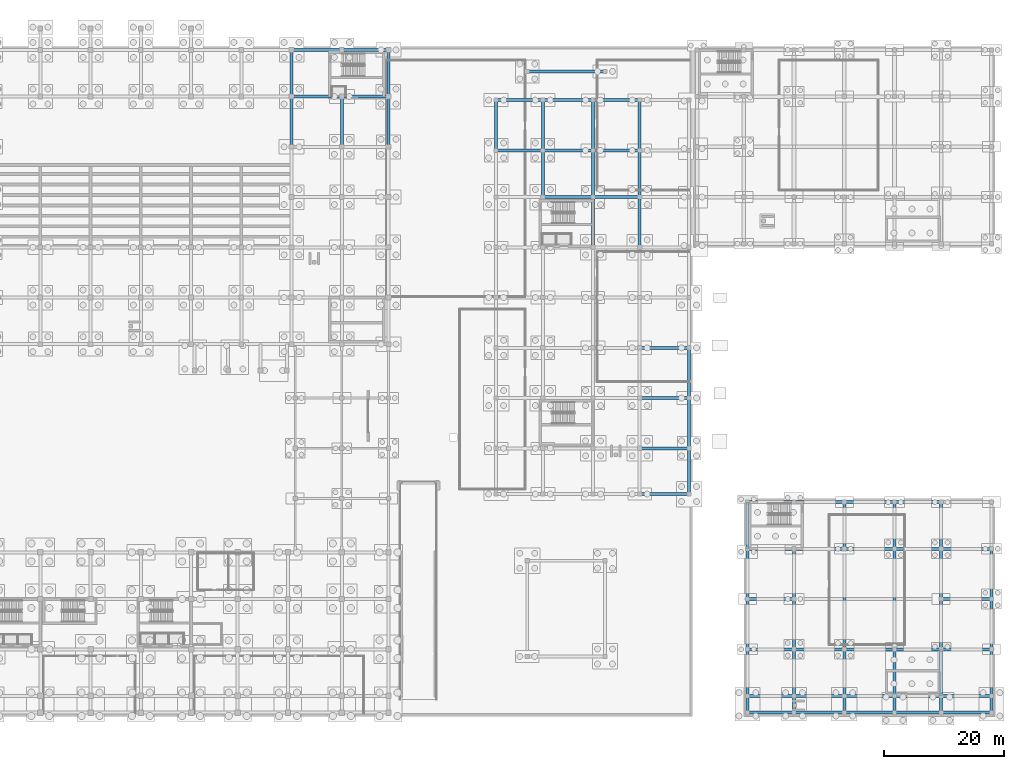
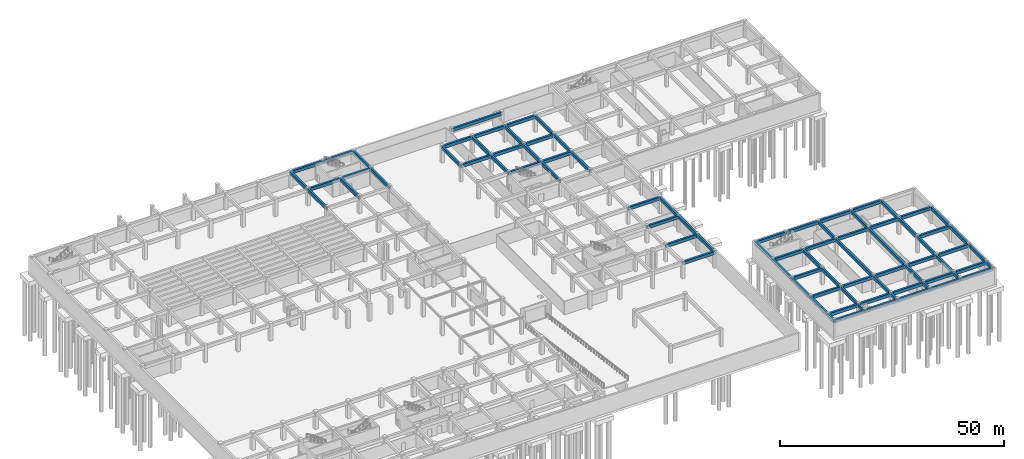
# One storey, part 13 of 35: 86 beams.
"""IFC4 building model written with IfcOpenShell, lengths in metres."""

from ifc_helpers import new_model, si_unit, direction, frame, origin, origin_2d, place, context, subcontext, project, spatial, rectangle, extrude, material, material_profile, profile_set, type_object, element, save


model = new_model("IFC4")

# Units and contexts
model_context = context("Model", 3, precision=1e-05, world=origin(), true_north=direction((0.0, 1.0)))
body_context = subcontext(model_context, "Body", "Model", "MODEL_VIEW")
ifc_project = project(units=[si_unit("LENGTHUNIT", "METRE"), si_unit("AREAUNIT", "SQUARE_METRE"), si_unit("VOLUMEUNIT", "CUBIC_METRE"), si_unit("PLANEANGLEUNIT", "RADIAN"), si_unit("MASSUNIT", "GRAM", prefix="KILO")], contexts=[model_context])

# Site, building, storey
site_placement = place(None, origin())
site = spatial("IfcSite", under=ifc_project, at=site_placement, CompositionType="ELEMENT")
building_placement = place(site_placement, origin())
building = spatial("IfcBuilding", under=site, at=building_placement, Name="Zayran Congress Hotel", CompositionType="ELEMENT")
storey_placement = place(building_placement, frame((0.0, 0.0, -4.800048828125)))
storey = spatial("IfcBuildingStorey", under=building, at=storey_placement, Name="B1", CompositionType="ELEMENT", Elevation=-4.800048828125)

# Beams
ifc_material = material(Name="Concrete C40/50", Category="concrete")
ifc_material_profile = material_profile(ifc_material, rectangle(XDim=0.5, YDim=0.85009765625, at=origin_2d()), Name="RC 500x850")
ifc_profile_set = profile_set([ifc_material_profile], Name="Concrete C40/50")
beam_type = type_object("IfcBeamType", Name="TP-BM-01", PredefinedType="BEAM", material=ifc_profile_set)
beam_1_placement = place(storey_placement, frame((75.60009765625, 109.60009765625, 4.054931640625), z_axis=(1.0, 0.0, 0.0), x_axis=(0.0, 1.0, 0.0)))
element("IfcBeam", 1, at=beam_1_placement, inside=storey, type_object=beam_type, Name="BM-B1-0047", PredefinedType="BEAM", context=body_context, shape_type="SweptSolid", body=[
    extrude(rectangle(XDim=0.5, YDim=0.85009765625, at=origin_2d()), origin(), (0.0, 0.0, 1.0), 8.39990234375),
])
beam_2_placement = place(storey_placement, frame((84.0, 109.60009765625, 4.054931640625), z_axis=(1.0, 0.0, 0.0), x_axis=(0.0, 1.0, 0.0)))
element("IfcBeam", 2, at=beam_2_placement, inside=storey, type_object=beam_type, Name="BM-B1-0048", PredefinedType="BEAM", context=body_context, shape_type="SweptSolid", body=[
    extrude(rectangle(XDim=0.5, YDim=0.85009765625, at=origin_2d()), origin(), (0.0, 0.0, 1.0), 7.800048828125),
])
beam_3_placement = place(storey_placement, frame((75.60009765625, 117.39990234375, 4.054931640625), z_axis=(1.0, 0.0, 0.0), x_axis=(0.0, 1.0, 0.0)))
element("IfcBeam", 3, at=beam_3_placement, inside=storey, type_object=beam_type, Name="BM-B1-0057", PredefinedType="BEAM", context=body_context, shape_type="SweptSolid", body=[
    extrude(rectangle(XDim=0.5, YDim=0.85009765625, at=origin_2d()), origin(), (0.0, 0.0, 1.0), 8.39990234375),
])
beam_4_placement = place(storey_placement, frame((84.0, 117.39990234375, 4.054931640625), z_axis=(1.0, 0.0, 0.0), x_axis=(0.0, 1.0, 0.0)))
element("IfcBeam", 4, at=beam_4_placement, inside=storey, type_object=beam_type, Name="BM-B1-0058", PredefinedType="BEAM", context=body_context, shape_type="SweptSolid", body=[
    extrude(rectangle(XDim=0.5, YDim=0.85009765625, at=origin_2d()), origin(), (0.0, 0.0, 1.0), 7.800048828125),
])
beam_5_placement = place(storey_placement, frame((75.60009765625, 101.199951171875, 4.054931640625), z_axis=(0.0, 1.0, 0.0), x_axis=(-1.0, 0.0, 0.0)))
element("IfcBeam", 5, at=beam_5_placement, inside=storey, type_object=beam_type, Name="BM-B1-0095", PredefinedType="BEAM", context=body_context, shape_type="SweptSolid", body=[
    extrude(rectangle(XDim=0.5, YDim=0.85009765625, at=origin_2d()), origin(), (0.0, 0.0, 1.0), 8.400146484375),
])
beam_6_placement = place(storey_placement, frame((75.60009765625, 109.60009765625, 4.054931640625), z_axis=(0.0, 1.0, 0.0), x_axis=(-1.0, 0.0, 0.0)))
element("IfcBeam", 6, at=beam_6_placement, inside=storey, type_object=beam_type, Name="BM-B1-0096", PredefinedType="BEAM", context=body_context, shape_type="SweptSolid", body=[
    extrude(rectangle(XDim=0.5, YDim=0.85009765625, at=origin_2d()), origin(), (0.0, 0.0, 1.0), 7.7998046875),
])
for number, where, z_axis, x_axis, name in (
    (7, (84.0, 101.199951171875, 4.054931640625), (0.0, 1.0, 0.0), (-1.0, 0.0, 0.0), "BM-B1-0101"),
    (8, (91.800048828125, 101.199951171875, 4.054931640625), (0.0, 1.0, 0.0), (-1.0, 0.0, 0.0), "BM-B1-0106"),
):
    element("IfcBeam", number, at=place(storey_placement, frame(where, z_axis=z_axis, x_axis=x_axis)), inside=storey, type_object=beam_type, Name=name, PredefinedType="BEAM", context=body_context, shape_type="SweptSolid", body=[
        extrude(rectangle(XDim=0.5, YDim=0.85009765625, at=origin_2d()), origin(), (0.0, 0.0, 1.0), 8.400146484375),
    ])
beam_7_placement = place(storey_placement, frame((91.800048828125, 109.60009765625, 4.054931640625), z_axis=(0.0, 1.0, 0.0), x_axis=(-1.0, 0.0, 0.0)))
element("IfcBeam", 9, at=beam_7_placement, inside=storey, type_object=beam_type, Name="BM-B1-0107", PredefinedType="BEAM", context=body_context, shape_type="SweptSolid", body=[
    extrude(rectangle(XDim=0.5, YDim=0.85009765625, at=origin_2d()), origin(), (0.0, 0.0, 1.0), 7.7998046875),
])
beam_8_placement = place(storey_placement, frame((151.800048828125, 6.60009765625, 4.054931640625), z_axis=(1.0, 0.0, 0.0), x_axis=(0.0, 1.0, 0.0)))
element("IfcBeam", 10, at=beam_8_placement, inside=storey, type_object=beam_type, Name="BM-B1-0159", PredefinedType="BEAM", context=body_context, shape_type="SweptSolid", body=[
    extrude(rectangle(XDim=0.5, YDim=0.85009765625, at=origin_2d()), origin(), (0.0, 0.0, 1.0), 7.800048828125),
])
for number, where, z_axis, x_axis, name in (
    (11, (159.60009765625, 6.60009765625, 4.054931640625), (1.0, 0.0, 0.0), (0.0, 1.0, 0.0), "BM-B1-0160"),
    (12, (168.0, 6.60009765625, 4.054931640625), (1.0, 0.0, 0.0), (0.0, 1.0, 0.0), "BM-B1-0161"),
):
    element("IfcBeam", number, at=place(storey_placement, frame(where, z_axis=z_axis, x_axis=x_axis)), inside=storey, type_object=beam_type, Name=name, PredefinedType="BEAM", context=body_context, shape_type="SweptSolid", body=[
        extrude(rectangle(XDim=0.5, YDim=0.85009765625, at=origin_2d()), origin(), (0.0, 0.0, 1.0), 8.39990234375),
    ])
beam_9_placement = place(storey_placement, frame((176.39990234375, 6.60009765625, 4.054931640625), z_axis=(1.0, 0.0, 0.0), x_axis=(0.0, 1.0, 0.0)))
element("IfcBeam", 13, at=beam_9_placement, inside=storey, type_object=beam_type, Name="BM-B1-0162", PredefinedType="BEAM", context=body_context, shape_type="SweptSolid", body=[
    extrude(rectangle(XDim=0.5, YDim=0.85009765625, at=origin_2d()), origin(), (0.0, 0.0, 1.0), 7.800048828125),
])
beam_10_placement = place(storey_placement, frame((184.199951171875, 6.60009765625, 4.054931640625), z_axis=(1.0, 0.0, 0.0), x_axis=(0.0, 1.0, 0.0)))
element("IfcBeam", 14, at=beam_10_placement, inside=storey, type_object=beam_type, Name="BM-B1-0163", PredefinedType="BEAM", context=body_context, shape_type="SweptSolid", body=[
    extrude(rectangle(XDim=0.5, YDim=0.85009765625, at=origin_2d()), origin(), (0.0, 0.0, 1.0), 8.400146484375),
])
beam_11_placement = place(storey_placement, frame((151.800048828125, 9.39990234375, 4.054931640625), z_axis=(1.0, 0.0, 0.0), x_axis=(0.0, 1.0, 0.0)))
element("IfcBeam", 15, at=beam_11_placement, inside=storey, type_object=beam_type, Name="BM-B1-0164", PredefinedType="BEAM", context=body_context, shape_type="SweptSolid", body=[
    extrude(rectangle(XDim=0.5, YDim=0.85009765625, at=origin_2d()), origin(), (0.0, 0.0, 1.0), 7.800048828125),
])
for number, where, z_axis, x_axis, name in (
    (16, (159.60009765625, 9.39990234375, 4.054931640625), (1.0, 0.0, 0.0), (0.0, 1.0, 0.0), "BM-B1-0165"),
    (17, (168.0, 9.39990234375, 4.054931640625), (1.0, 0.0, 0.0), (0.0, 1.0, 0.0), "BM-B1-0166"),
):
    element("IfcBeam", number, at=place(storey_placement, frame(where, z_axis=z_axis, x_axis=x_axis)), inside=storey, type_object=beam_type, Name=name, PredefinedType="BEAM", context=body_context, shape_type="SweptSolid", body=[
        extrude(rectangle(XDim=0.5, YDim=0.85009765625, at=origin_2d()), origin(), (0.0, 0.0, 1.0), 8.39990234375),
    ])
beam_12_placement = place(storey_placement, frame((176.39990234375, 9.39990234375, 4.054931640625), z_axis=(1.0, 0.0, 0.0), x_axis=(0.0, 1.0, 0.0)))
element("IfcBeam", 18, at=beam_12_placement, inside=storey, type_object=beam_type, Name="BM-B1-0167", PredefinedType="BEAM", context=body_context, shape_type="SweptSolid", body=[
    extrude(rectangle(XDim=0.5, YDim=0.85009765625, at=origin_2d()), origin(), (0.0, 0.0, 1.0), 7.800048828125),
])
beam_13_placement = place(storey_placement, frame((184.199951171875, 9.39990234375, 4.054931640625), z_axis=(1.0, 0.0, 0.0), x_axis=(0.0, 1.0, 0.0)))
element("IfcBeam", 19, at=beam_13_placement, inside=storey, type_object=beam_type, Name="BM-B1-0168", PredefinedType="BEAM", context=body_context, shape_type="SweptSolid", body=[
    extrude(rectangle(XDim=0.5, YDim=0.85009765625, at=origin_2d()), origin(), (0.0, 0.0, 1.0), 8.400146484375),
])
beam_14_placement = place(storey_placement, frame((151.800048828125, 17.199951171875, 4.054931640625), z_axis=(1.0, 0.0, 0.0), x_axis=(0.0, 1.0, 0.0)))
element("IfcBeam", 20, at=beam_14_placement, inside=storey, type_object=beam_type, Name="BM-B1-0169", PredefinedType="BEAM", context=body_context, shape_type="SweptSolid", body=[
    extrude(rectangle(XDim=0.5, YDim=0.85009765625, at=origin_2d()), origin(), (0.0, 0.0, 1.0), 7.800048828125),
])
for number, where, z_axis, x_axis, name in (
    (21, (159.60009765625, 17.199951171875, 4.054931640625), (1.0, 0.0, 0.0), (0.0, 1.0, 0.0), "BM-B1-0170"),
    (22, (168.0, 17.199951171875, 4.054931640625), (1.0, 0.0, 0.0), (0.0, 1.0, 0.0), "BM-B1-0171"),
):
    element("IfcBeam", number, at=place(storey_placement, frame(where, z_axis=z_axis, x_axis=x_axis)), inside=storey, type_object=beam_type, Name=name, PredefinedType="BEAM", context=body_context, shape_type="SweptSolid", body=[
        extrude(rectangle(XDim=0.5, YDim=0.85009765625, at=origin_2d()), origin(), (0.0, 0.0, 1.0), 8.39990234375),
    ])
beam_15_placement = place(storey_placement, frame((176.39990234375, 17.199951171875, 4.054931640625), z_axis=(1.0, 0.0, 0.0), x_axis=(0.0, 1.0, 0.0)))
element("IfcBeam", 23, at=beam_15_placement, inside=storey, type_object=beam_type, Name="BM-B1-0172", PredefinedType="BEAM", context=body_context, shape_type="SweptSolid", body=[
    extrude(rectangle(XDim=0.5, YDim=0.85009765625, at=origin_2d()), origin(), (0.0, 0.0, 1.0), 7.800048828125),
])
beam_16_placement = place(storey_placement, frame((184.199951171875, 17.199951171875, 4.054931640625), z_axis=(1.0, 0.0, 0.0), x_axis=(0.0, 1.0, 0.0)))
element("IfcBeam", 24, at=beam_16_placement, inside=storey, type_object=beam_type, Name="BM-B1-0173", PredefinedType="BEAM", context=body_context, shape_type="SweptSolid", body=[
    extrude(rectangle(XDim=0.5, YDim=0.85009765625, at=origin_2d()), origin(), (0.0, 0.0, 1.0), 8.400146484375),
])
beam_17_placement = place(storey_placement, frame((151.800048828125, 25.60009765625, 4.054931640625), z_axis=(1.0, 0.0, 0.0), x_axis=(0.0, 1.0, 0.0)))
element("IfcBeam", 25, at=beam_17_placement, inside=storey, type_object=beam_type, Name="BM-B1-0174", PredefinedType="BEAM", context=body_context, shape_type="SweptSolid", body=[
    extrude(rectangle(XDim=0.5, YDim=0.85009765625, at=origin_2d()), origin(), (0.0, 0.0, 1.0), 7.800048828125),
])
beam_18_placement = place(storey_placement, frame((184.199951171875, 25.60009765625, 4.054931640625), z_axis=(1.0, 0.0, 0.0), x_axis=(0.0, 1.0, 0.0)))
element("IfcBeam", 26, at=beam_18_placement, inside=storey, type_object=beam_type, Name="BM-B1-0175", PredefinedType="BEAM", context=body_context, shape_type="SweptSolid", body=[
    extrude(rectangle(XDim=0.5, YDim=0.85009765625, at=origin_2d()), origin(), (0.0, 0.0, 1.0), 8.400146484375),
])
beam_19_placement = place(storey_placement, frame((151.800048828125, 34.0, 4.054931640625), z_axis=(1.0, 0.0, 0.0), x_axis=(0.0, 1.0, 0.0)))
element("IfcBeam", 27, at=beam_19_placement, inside=storey, type_object=beam_type, Name="BM-B1-0176", PredefinedType="BEAM", context=body_context, shape_type="SweptSolid", body=[
    extrude(rectangle(XDim=0.5, YDim=0.85009765625, at=origin_2d()), origin(), (0.0, 0.0, 1.0), 7.800048828125),
])
for number, where, z_axis, x_axis, name in (
    (28, (159.60009765625, 34.0, 4.054931640625), (1.0, 0.0, 0.0), (0.0, 1.0, 0.0), "BM-B1-0177"),
    (29, (168.0, 34.0, 4.054931640625), (1.0, 0.0, 0.0), (0.0, 1.0, 0.0), "BM-B1-0178"),
):
    element("IfcBeam", number, at=place(storey_placement, frame(where, z_axis=z_axis, x_axis=x_axis)), inside=storey, type_object=beam_type, Name=name, PredefinedType="BEAM", context=body_context, shape_type="SweptSolid", body=[
        extrude(rectangle(XDim=0.5, YDim=0.85009765625, at=origin_2d()), origin(), (0.0, 0.0, 1.0), 8.39990234375),
    ])
beam_20_placement = place(storey_placement, frame((176.39990234375, 34.0, 4.054931640625), z_axis=(1.0, 0.0, 0.0), x_axis=(0.0, 1.0, 0.0)))
element("IfcBeam", 30, at=beam_20_placement, inside=storey, type_object=beam_type, Name="BM-B1-0179", PredefinedType="BEAM", context=body_context, shape_type="SweptSolid", body=[
    extrude(rectangle(XDim=0.5, YDim=0.85009765625, at=origin_2d()), origin(), (0.0, 0.0, 1.0), 7.800048828125),
])
beam_21_placement = place(storey_placement, frame((184.199951171875, 34.0, 4.054931640625), z_axis=(1.0, 0.0, 0.0), x_axis=(0.0, 1.0, 0.0)))
element("IfcBeam", 31, at=beam_21_placement, inside=storey, type_object=beam_type, Name="BM-B1-0180", PredefinedType="BEAM", context=body_context, shape_type="SweptSolid", body=[
    extrude(rectangle(XDim=0.5, YDim=0.85009765625, at=origin_2d()), origin(), (0.0, 0.0, 1.0), 8.400146484375),
])
beam_22_placement = place(storey_placement, frame((151.800048828125, 41.800048828125, 4.054931640625), z_axis=(1.0, 0.0, 0.0), x_axis=(0.0, 1.0, 0.0)))
element("IfcBeam", 32, at=beam_22_placement, inside=storey, type_object=beam_type, Name="BM-B1-0181", PredefinedType="BEAM", context=body_context, shape_type="SweptSolid", body=[
    extrude(rectangle(XDim=0.5, YDim=0.85009765625, at=origin_2d()), origin(), (0.0, 0.0, 1.0), 7.800048828125),
])
for number, where, z_axis, x_axis, name in (
    (33, (159.60009765625, 41.800048828125, 4.054931640625), (1.0, 0.0, 0.0), (0.0, 1.0, 0.0), "BM-B1-0182"),
    (34, (168.0, 41.800048828125, 4.054931640625), (1.0, 0.0, 0.0), (0.0, 1.0, 0.0), "BM-B1-0183"),
):
    element("IfcBeam", number, at=place(storey_placement, frame(where, z_axis=z_axis, x_axis=x_axis)), inside=storey, type_object=beam_type, Name=name, PredefinedType="BEAM", context=body_context, shape_type="SweptSolid", body=[
        extrude(rectangle(XDim=0.5, YDim=0.85009765625, at=origin_2d()), origin(), (0.0, 0.0, 1.0), 8.39990234375),
    ])
beam_23_placement = place(storey_placement, frame((176.39990234375, 41.800048828125, 4.054931640625), z_axis=(1.0, 0.0, 0.0), x_axis=(0.0, 1.0, 0.0)))
element("IfcBeam", 35, at=beam_23_placement, inside=storey, type_object=beam_type, Name="BM-B1-0184", PredefinedType="BEAM", context=body_context, shape_type="SweptSolid", body=[
    extrude(rectangle(XDim=0.5, YDim=0.85009765625, at=origin_2d()), origin(), (0.0, 0.0, 1.0), 7.800048828125),
])
beam_24_placement = place(storey_placement, frame((151.800048828125, 6.60009765625, 4.054931640625), z_axis=(0.0, 1.0, 0.0), x_axis=(-1.0, 0.0, 0.0)))
element("IfcBeam", 36, at=beam_24_placement, inside=storey, type_object=beam_type, Name="BM-B1-0186", PredefinedType="BEAM", context=body_context, shape_type="SweptSolid", body=[
    extrude(rectangle(XDim=0.5, YDim=0.85009765625, at=origin_2d()), origin(), (0.0, 0.0, 1.0), 2.7998046875),
])
beam_25_placement = place(storey_placement, frame((151.800048828125, 9.39990234375, 4.054931640625), z_axis=(0.0, 1.0, 0.0), x_axis=(-1.0, 0.0, 0.0)))
element("IfcBeam", 37, at=beam_25_placement, inside=storey, type_object=beam_type, Name="BM-B1-0187", PredefinedType="BEAM", context=body_context, shape_type="SweptSolid", body=[
    extrude(rectangle(XDim=0.5, YDim=0.85009765625, at=origin_2d()), origin(), (0.0, 0.0, 1.0), 7.800048828125),
])
beam_26_placement = place(storey_placement, frame((151.800048828125, 17.199951171875, 4.054931640625), z_axis=(0.0, 1.0, 0.0), x_axis=(-1.0, 0.0, 0.0)))
element("IfcBeam", 38, at=beam_26_placement, inside=storey, type_object=beam_type, Name="BM-B1-0188", PredefinedType="BEAM", context=body_context, shape_type="SweptSolid", body=[
    extrude(rectangle(XDim=0.5, YDim=0.85009765625, at=origin_2d()), origin(), (0.0, 0.0, 1.0), 8.400146484375),
])
beam_27_placement = place(storey_placement, frame((151.800048828125, 25.60009765625, 4.054931640625), z_axis=(0.0, 1.0, 0.0), x_axis=(-1.0, 0.0, 0.0)))
element("IfcBeam", 39, at=beam_27_placement, inside=storey, type_object=beam_type, Name="BM-B1-0189", PredefinedType="BEAM", context=body_context, shape_type="SweptSolid", body=[
    extrude(rectangle(XDim=0.5, YDim=0.85009765625, at=origin_2d()), origin(), (0.0, 0.0, 1.0), 8.39990234375),
])
beam_28_placement = place(storey_placement, frame((151.800048828125, 34.0, 4.054931640625), z_axis=(0.0, 1.0, 0.0), x_axis=(-1.0, 0.0, 0.0)))
element("IfcBeam", 40, at=beam_28_placement, inside=storey, type_object=beam_type, Name="BM-B1-0190", PredefinedType="BEAM", context=body_context, shape_type="SweptSolid", body=[
    extrude(rectangle(XDim=0.5, YDim=0.85009765625, at=origin_2d()), origin(), (0.0, 0.0, 1.0), 7.800048828125),
])
beam_29_placement = place(storey_placement, frame((159.60009765625, 6.60009765625, 4.054931640625), z_axis=(0.0, 1.0, 0.0), x_axis=(-1.0, 0.0, 0.0)))
element("IfcBeam", 41, at=beam_29_placement, inside=storey, type_object=beam_type, Name="BM-B1-0191", PredefinedType="BEAM", context=body_context, shape_type="SweptSolid", body=[
    extrude(rectangle(XDim=0.5, YDim=0.85009765625, at=origin_2d()), origin(), (0.0, 0.0, 1.0), 2.7998046875),
])
beam_30_placement = place(storey_placement, frame((159.60009765625, 9.39990234375, 4.054931640625), z_axis=(0.0, 1.0, 0.0), x_axis=(-1.0, 0.0, 0.0)))
element("IfcBeam", 42, at=beam_30_placement, inside=storey, type_object=beam_type, Name="BM-B1-0192", PredefinedType="BEAM", context=body_context, shape_type="SweptSolid", body=[
    extrude(rectangle(XDim=0.5, YDim=0.85009765625, at=origin_2d()), origin(), (0.0, 0.0, 1.0), 7.800048828125),
])
beam_31_placement = place(storey_placement, frame((159.60009765625, 17.199951171875, 4.054931640625), z_axis=(0.0, 1.0, 0.0), x_axis=(-1.0, 0.0, 0.0)))
element("IfcBeam", 43, at=beam_31_placement, inside=storey, type_object=beam_type, Name="BM-B1-0193", PredefinedType="BEAM", context=body_context, shape_type="SweptSolid", body=[
    extrude(rectangle(XDim=0.5, YDim=0.85009765625, at=origin_2d()), origin(), (0.0, 0.0, 1.0), 8.400146484375),
])
beam_32_placement = place(storey_placement, frame((159.60009765625, 25.60009765625, 4.054931640625), z_axis=(0.0, 1.0, 0.0), x_axis=(-1.0, 0.0, 0.0)))
element("IfcBeam", 44, at=beam_32_placement, inside=storey, type_object=beam_type, Name="BM-B1-0194", PredefinedType="BEAM", context=body_context, shape_type="SweptSolid", body=[
    extrude(rectangle(XDim=0.5, YDim=0.85009765625, at=origin_2d()), origin(), (0.0, 0.0, 1.0), 8.39990234375),
])
beam_33_placement = place(storey_placement, frame((168.0, 6.60009765625, 4.054931640625), z_axis=(0.0, 1.0, 0.0), x_axis=(-1.0, 0.0, 0.0)))
element("IfcBeam", 45, at=beam_33_placement, inside=storey, type_object=beam_type, Name="BM-B1-0196", PredefinedType="BEAM", context=body_context, shape_type="SweptSolid", body=[
    extrude(rectangle(XDim=0.5, YDim=0.85009765625, at=origin_2d()), origin(), (0.0, 0.0, 1.0), 2.7998046875),
])
beam_34_placement = place(storey_placement, frame((168.0, 9.39990234375, 4.054931640625), z_axis=(0.0, 1.0, 0.0), x_axis=(-1.0, 0.0, 0.0)))
element("IfcBeam", 46, at=beam_34_placement, inside=storey, type_object=beam_type, Name="BM-B1-0197", PredefinedType="BEAM", context=body_context, shape_type="SweptSolid", body=[
    extrude(rectangle(XDim=0.5, YDim=0.85009765625, at=origin_2d()), origin(), (0.0, 0.0, 1.0), 7.800048828125),
])
beam_35_placement = place(storey_placement, frame((168.0, 17.199951171875, 4.054931640625), z_axis=(0.0, 1.0, 0.0), x_axis=(-1.0, 0.0, 0.0)))
element("IfcBeam", 47, at=beam_35_placement, inside=storey, type_object=beam_type, Name="BM-B1-0198", PredefinedType="BEAM", context=body_context, shape_type="SweptSolid", body=[
    extrude(rectangle(XDim=0.5, YDim=0.85009765625, at=origin_2d()), origin(), (0.0, 0.0, 1.0), 16.800048828125),
])
beam_36_placement = place(storey_placement, frame((168.0, 34.0, 4.054931640625), z_axis=(0.0, 1.0, 0.0), x_axis=(-1.0, 0.0, 0.0)))
element("IfcBeam", 48, at=beam_36_placement, inside=storey, type_object=beam_type, Name="BM-B1-0199", PredefinedType="BEAM", context=body_context, shape_type="SweptSolid", body=[
    extrude(rectangle(XDim=0.5, YDim=0.85009765625, at=origin_2d()), origin(), (0.0, 0.0, 1.0), 7.800048828125),
])
beam_37_placement = place(storey_placement, frame((176.39990234375, 6.60009765625, 4.054931640625), z_axis=(0.0, 1.0, 0.0), x_axis=(-1.0, 0.0, 0.0)))
element("IfcBeam", 49, at=beam_37_placement, inside=storey, type_object=beam_type, Name="BM-B1-0200", PredefinedType="BEAM", context=body_context, shape_type="SweptSolid", body=[
    extrude(rectangle(XDim=0.5, YDim=0.85009765625, at=origin_2d()), origin(), (0.0, 0.0, 1.0), 2.7998046875),
])
beam_38_placement = place(storey_placement, frame((176.39990234375, 9.39990234375, 4.054931640625), z_axis=(0.0, 1.0, 0.0), x_axis=(-1.0, 0.0, 0.0)))
element("IfcBeam", 50, at=beam_38_placement, inside=storey, type_object=beam_type, Name="BM-B1-0201", PredefinedType="BEAM", context=body_context, shape_type="SweptSolid", body=[
    extrude(rectangle(XDim=0.5, YDim=0.85009765625, at=origin_2d()), origin(), (0.0, 0.0, 1.0), 7.800048828125),
])
beam_39_placement = place(storey_placement, frame((176.39990234375, 17.199951171875, 4.054931640625), z_axis=(0.0, 1.0, 0.0), x_axis=(-1.0, 0.0, 0.0)))
element("IfcBeam", 51, at=beam_39_placement, inside=storey, type_object=beam_type, Name="BM-B1-0202", PredefinedType="BEAM", context=body_context, shape_type="SweptSolid", body=[
    extrude(rectangle(XDim=0.5, YDim=0.85009765625, at=origin_2d()), origin(), (0.0, 0.0, 1.0), 16.800048828125),
])
beam_40_placement = place(storey_placement, frame((176.39990234375, 34.0, 4.054931640625), z_axis=(0.0, 1.0, 0.0), x_axis=(-1.0, 0.0, 0.0)))
element("IfcBeam", 52, at=beam_40_placement, inside=storey, type_object=beam_type, Name="BM-B1-0203", PredefinedType="BEAM", context=body_context, shape_type="SweptSolid", body=[
    extrude(rectangle(XDim=0.5, YDim=0.85009765625, at=origin_2d()), origin(), (0.0, 0.0, 1.0), 7.800048828125),
])
beam_41_placement = place(storey_placement, frame((184.199951171875, 6.60009765625, 4.054931640625), z_axis=(0.0, 1.0, 0.0), x_axis=(-1.0, 0.0, 0.0)))
element("IfcBeam", 53, at=beam_41_placement, inside=storey, type_object=beam_type, Name="BM-B1-0204", PredefinedType="BEAM", context=body_context, shape_type="SweptSolid", body=[
    extrude(rectangle(XDim=0.5, YDim=0.85009765625, at=origin_2d()), origin(), (0.0, 0.0, 1.0), 2.7998046875),
])
beam_42_placement = place(storey_placement, frame((184.199951171875, 9.39990234375, 4.054931640625), z_axis=(0.0, 1.0, 0.0), x_axis=(-1.0, 0.0, 0.0)))
element("IfcBeam", 54, at=beam_42_placement, inside=storey, type_object=beam_type, Name="BM-B1-0205", PredefinedType="BEAM", context=body_context, shape_type="SweptSolid", body=[
    extrude(rectangle(XDim=0.5, YDim=0.85009765625, at=origin_2d()), origin(), (0.0, 0.0, 1.0), 7.800048828125),
])
beam_43_placement = place(storey_placement, frame((184.199951171875, 17.199951171875, 4.054931640625), z_axis=(0.0, 1.0, 0.0), x_axis=(-1.0, 0.0, 0.0)))
element("IfcBeam", 55, at=beam_43_placement, inside=storey, type_object=beam_type, Name="BM-B1-0206", PredefinedType="BEAM", context=body_context, shape_type="SweptSolid", body=[
    extrude(rectangle(XDim=0.5, YDim=0.85009765625, at=origin_2d()), origin(), (0.0, 0.0, 1.0), 8.400146484375),
])
beam_44_placement = place(storey_placement, frame((184.199951171875, 25.60009765625, 4.054931640625), z_axis=(0.0, 1.0, 0.0), x_axis=(-1.0, 0.0, 0.0)))
element("IfcBeam", 56, at=beam_44_placement, inside=storey, type_object=beam_type, Name="BM-B1-0207", PredefinedType="BEAM", context=body_context, shape_type="SweptSolid", body=[
    extrude(rectangle(XDim=0.5, YDim=0.85009765625, at=origin_2d()), origin(), (0.0, 0.0, 1.0), 8.39990234375),
])
beam_45_placement = place(storey_placement, frame((184.199951171875, 34.0, 4.054931640625), z_axis=(0.0, 1.0, 0.0), x_axis=(-1.0, 0.0, 0.0)))
element("IfcBeam", 57, at=beam_45_placement, inside=storey, type_object=beam_type, Name="BM-B1-0208", PredefinedType="BEAM", context=body_context, shape_type="SweptSolid", body=[
    extrude(rectangle(XDim=0.5, YDim=0.85009765625, at=origin_2d()), origin(), (0.0, 0.0, 1.0), 7.800048828125),
])
beam_46_placement = place(storey_placement, frame((192.60009765625, 6.60009765625, 4.054931640625), z_axis=(0.0, 1.0, 0.0), x_axis=(-1.0, 0.0, 0.0)))
element("IfcBeam", 58, at=beam_46_placement, inside=storey, type_object=beam_type, Name="BM-B1-0209", PredefinedType="BEAM", context=body_context, shape_type="SweptSolid", body=[
    extrude(rectangle(XDim=0.5, YDim=0.85009765625, at=origin_2d()), origin(), (0.0, 0.0, 1.0), 2.7998046875),
])
beam_47_placement = place(storey_placement, frame((192.60009765625, 9.39990234375, 4.054931640625), z_axis=(0.0, 1.0, 0.0), x_axis=(-1.0, 0.0, 0.0)))
element("IfcBeam", 59, at=beam_47_placement, inside=storey, type_object=beam_type, Name="BM-B1-0210", PredefinedType="BEAM", context=body_context, shape_type="SweptSolid", body=[
    extrude(rectangle(XDim=0.5, YDim=0.85009765625, at=origin_2d()), origin(), (0.0, 0.0, 1.0), 7.800048828125),
])
beam_48_placement = place(storey_placement, frame((192.60009765625, 17.199951171875, 4.054931640625), z_axis=(0.0, 1.0, 0.0), x_axis=(-1.0, 0.0, 0.0)))
element("IfcBeam", 60, at=beam_48_placement, inside=storey, type_object=beam_type, Name="BM-B1-0211", PredefinedType="BEAM", context=body_context, shape_type="SweptSolid", body=[
    extrude(rectangle(XDim=0.5, YDim=0.85009765625, at=origin_2d()), origin(), (0.0, 0.0, 1.0), 8.400146484375),
])
beam_49_placement = place(storey_placement, frame((192.60009765625, 25.60009765625, 4.054931640625), z_axis=(0.0, 1.0, 0.0), x_axis=(-1.0, 0.0, 0.0)))
element("IfcBeam", 61, at=beam_49_placement, inside=storey, type_object=beam_type, Name="BM-B1-0212", PredefinedType="BEAM", context=body_context, shape_type="SweptSolid", body=[
    extrude(rectangle(XDim=0.5, YDim=0.85009765625, at=origin_2d()), origin(), (0.0, 0.0, 1.0), 8.39990234375),
])
for number, where, z_axis, x_axis, name in (
    (62, (133.800048828125, 43.14990234375, 4.054931640625), (1.0, 0.0, 0.0), (0.0, 1.0, 0.0), "BM-B1-0217"),
    (63, (133.800048828125, 50.800048828125, 4.054931640625), (1.0, 0.0, 0.0), (0.0, 1.0, 0.0), "BM-B1-0221"),
    (64, (133.800048828125, 59.199951171875, 4.054931640625), (1.0, 0.0, 0.0), (0.0, 1.0, 0.0), "BM-B1-0225"),
    (65, (133.800048828125, 67.60009765625, 4.054931640625), (1.0, 0.0, 0.0), (0.0, 1.0, 0.0), "BM-B1-0229"),
):
    element("IfcBeam", number, at=place(storey_placement, frame(where, z_axis=z_axis, x_axis=x_axis)), inside=storey, type_object=beam_type, Name=name, PredefinedType="BEAM", context=body_context, shape_type="SweptSolid", body=[
        extrude(rectangle(XDim=0.5, YDim=0.85009765625, at=origin_2d()), origin(), (0.0, 0.0, 1.0), 8.25),
    ])
beam_50_placement = place(storey_placement, frame((117.60009765625, 92.800048828125, 4.054931640625), z_axis=(1.0, 0.0, 0.0), x_axis=(0.0, 1.0, 0.0)))
element("IfcBeam", 66, at=beam_50_placement, inside=storey, type_object=beam_type, Name="BM-B1-0239", PredefinedType="BEAM", context=body_context, shape_type="SweptSolid", body=[
    extrude(rectangle(XDim=0.5, YDim=0.85009765625, at=origin_2d()), origin(), (0.0, 0.0, 1.0), 8.39990234375),
])
for number, where, z_axis, x_axis, name in (
    (67, (126.0, 92.800048828125, 4.054931640625), (1.0, 0.0, 0.0), (0.0, 1.0, 0.0), "BM-B1-0240"),
    (68, (109.800048828125, 100.60009765625, 4.054931640625), (1.0, 0.0, 0.0), (0.0, 1.0, 0.0), "BM-B1-0242"),
):
    element("IfcBeam", number, at=place(storey_placement, frame(where, z_axis=z_axis, x_axis=x_axis)), inside=storey, type_object=beam_type, Name=name, PredefinedType="BEAM", context=body_context, shape_type="SweptSolid", body=[
        extrude(rectangle(XDim=0.5, YDim=0.85009765625, at=origin_2d()), origin(), (0.0, 0.0, 1.0), 7.800048828125),
    ])
beam_51_placement = place(storey_placement, frame((117.60009765625, 100.60009765625, 4.054931640625), z_axis=(1.0, 0.0, 0.0), x_axis=(0.0, 1.0, 0.0)))
element("IfcBeam", 69, at=beam_51_placement, inside=storey, type_object=beam_type, Name="BM-B1-0243", PredefinedType="BEAM", context=body_context, shape_type="SweptSolid", body=[
    extrude(rectangle(XDim=0.5, YDim=0.85009765625, at=origin_2d()), origin(), (0.0, 0.0, 1.0), 8.39990234375),
])
for number, where, z_axis, x_axis, name in (
    (70, (126.0, 100.60009765625, 4.054931640625), (1.0, 0.0, 0.0), (0.0, 1.0, 0.0), "BM-B1-0244"),
    (71, (109.800048828125, 109.0, 4.054931640625), (1.0, 0.0, 0.0), (0.0, 1.0, 0.0), "BM-B1-0246"),
):
    element("IfcBeam", number, at=place(storey_placement, frame(where, z_axis=z_axis, x_axis=x_axis)), inside=storey, type_object=beam_type, Name=name, PredefinedType="BEAM", context=body_context, shape_type="SweptSolid", body=[
        extrude(rectangle(XDim=0.5, YDim=0.85009765625, at=origin_2d()), origin(), (0.0, 0.0, 1.0), 7.800048828125),
    ])
beam_52_placement = place(storey_placement, frame((117.60009765625, 109.0, 4.054931640625), z_axis=(1.0, 0.0, 0.0), x_axis=(0.0, 1.0, 0.0)))
element("IfcBeam", 72, at=beam_52_placement, inside=storey, type_object=beam_type, Name="BM-B1-0247", PredefinedType="BEAM", context=body_context, shape_type="SweptSolid", body=[
    extrude(rectangle(XDim=0.5, YDim=0.85009765625, at=origin_2d()), origin(), (0.0, 0.0, 1.0), 8.39990234375),
])
beam_53_placement = place(storey_placement, frame((126.0, 109.0, 4.054931640625), z_axis=(1.0, 0.0, 0.0), x_axis=(0.0, 1.0, 0.0)))
element("IfcBeam", 73, at=beam_53_placement, inside=storey, type_object=beam_type, Name="BM-B1-0248", PredefinedType="BEAM", context=body_context, shape_type="SweptSolid", body=[
    extrude(rectangle(XDim=0.5, YDim=0.85009765625, at=origin_2d()), origin(), (0.0, 0.0, 1.0), 7.800048828125),
])
beam_54_placement = place(storey_placement, frame((109.800048828125, 100.60009765625, 4.054931640625), z_axis=(0.0, 1.0, 0.0), x_axis=(-1.0, 0.0, 0.0)))
element("IfcBeam", 74, at=beam_54_placement, inside=storey, type_object=beam_type, Name="BM-B1-0257", PredefinedType="BEAM", context=body_context, shape_type="SweptSolid", body=[
    extrude(rectangle(XDim=0.5, YDim=0.85009765625, at=origin_2d()), origin(), (0.0, 0.0, 1.0), 8.39990234375),
])
beam_55_placement = place(storey_placement, frame((117.60009765625, 92.800048828125, 4.054931640625), z_axis=(0.0, 1.0, 0.0), x_axis=(-1.0, 0.0, 0.0)))
element("IfcBeam", 75, at=beam_55_placement, inside=storey, type_object=beam_type, Name="BM-B1-0262", PredefinedType="BEAM", context=body_context, shape_type="SweptSolid", body=[
    extrude(rectangle(XDim=0.5, YDim=0.85009765625, at=origin_2d()), origin(), (0.0, 0.0, 1.0), 7.800048828125),
])
beam_56_placement = place(storey_placement, frame((117.60009765625, 100.60009765625, 4.054931640625), z_axis=(0.0, 1.0, 0.0), x_axis=(-1.0, 0.0, 0.0)))
element("IfcBeam", 76, at=beam_56_placement, inside=storey, type_object=beam_type, Name="BM-B1-0263", PredefinedType="BEAM", context=body_context, shape_type="SweptSolid", body=[
    extrude(rectangle(XDim=0.5, YDim=0.85009765625, at=origin_2d()), origin(), (0.0, 0.0, 1.0), 8.39990234375),
])
beam_57_placement = place(storey_placement, frame((126.0, 84.39990234375, 4.054931640625), z_axis=(0.0, 1.0, 0.0), x_axis=(-1.0, 0.0, 0.0)))
element("IfcBeam", 77, at=beam_57_placement, inside=storey, type_object=beam_type, Name="BM-B1-0269", PredefinedType="BEAM", context=body_context, shape_type="SweptSolid", body=[
    extrude(rectangle(XDim=0.5, YDim=0.85009765625, at=origin_2d()), origin(), (0.0, 0.0, 1.0), 8.400146484375),
])
beam_58_placement = place(storey_placement, frame((126.0, 92.800048828125, 4.054931640625), z_axis=(0.0, 1.0, 0.0), x_axis=(-1.0, 0.0, 0.0)))
element("IfcBeam", 78, at=beam_58_placement, inside=storey, type_object=beam_type, Name="BM-B1-0270", PredefinedType="BEAM", context=body_context, shape_type="SweptSolid", body=[
    extrude(rectangle(XDim=0.5, YDim=0.85009765625, at=origin_2d()), origin(), (0.0, 0.0, 1.0), 7.800048828125),
])
beam_59_placement = place(storey_placement, frame((126.0, 100.60009765625, 4.054931640625), z_axis=(0.0, 1.0, 0.0), x_axis=(-1.0, 0.0, 0.0)))
element("IfcBeam", 79, at=beam_59_placement, inside=storey, type_object=beam_type, Name="BM-B1-0271", PredefinedType="BEAM", context=body_context, shape_type="SweptSolid", body=[
    extrude(rectangle(XDim=0.5, YDim=0.85009765625, at=origin_2d()), origin(), (0.0, 0.0, 1.0), 8.39990234375),
])
beam_60_placement = place(storey_placement, frame((133.800048828125, 84.39990234375, 4.054931640625), z_axis=(0.0, 1.0, 0.0), x_axis=(-1.0, 0.0, 0.0)))
element("IfcBeam", 80, at=beam_60_placement, inside=storey, type_object=beam_type, Name="BM-B1-0277", PredefinedType="BEAM", context=body_context, shape_type="SweptSolid", body=[
    extrude(rectangle(XDim=0.5, YDim=0.85009765625, at=origin_2d()), origin(), (0.0, 0.0, 1.0), 8.400146484375),
])
beam_61_placement = place(storey_placement, frame((133.800048828125, 92.800048828125, 4.054931640625), z_axis=(0.0, 1.0, 0.0), x_axis=(-1.0, 0.0, 0.0)))
element("IfcBeam", 81, at=beam_61_placement, inside=storey, type_object=beam_type, Name="BM-B1-0278", PredefinedType="BEAM", context=body_context, shape_type="SweptSolid", body=[
    extrude(rectangle(XDim=0.5, YDim=0.85009765625, at=origin_2d()), origin(), (0.0, 0.0, 1.0), 7.800048828125),
])
beam_62_placement = place(storey_placement, frame((133.800048828125, 100.60009765625, 4.054931640625), z_axis=(0.0, 1.0, 0.0), x_axis=(-1.0, 0.0, 0.0)))
element("IfcBeam", 82, at=beam_62_placement, inside=storey, type_object=beam_type, Name="BM-B1-0279", PredefinedType="BEAM", context=body_context, shape_type="SweptSolid", body=[
    extrude(rectangle(XDim=0.5, YDim=0.85009765625, at=origin_2d()), origin(), (0.0, 0.0, 1.0), 8.39990234375),
])
beam_63_placement = place(storey_placement, frame((142.050048828125, 43.14990234375, 4.054931640625), z_axis=(0.0, 1.0, 0.0), x_axis=(-1.0, 0.0, 0.0)))
element("IfcBeam", 83, at=beam_63_placement, inside=storey, type_object=beam_type, Name="BM-B1-0280", PredefinedType="BEAM", context=body_context, shape_type="SweptSolid", body=[
    extrude(rectangle(XDim=0.5, YDim=0.85009765625, at=origin_2d()), origin(), (0.0, 0.0, 1.0), 7.650146484375),
])
beam_64_placement = place(storey_placement, frame((142.050048828125, 50.800048828125, 4.054931640625), z_axis=(0.0, 1.0, 0.0), x_axis=(-1.0, 0.0, 0.0)))
element("IfcBeam", 84, at=beam_64_placement, inside=storey, type_object=beam_type, Name="BM-B1-0281", PredefinedType="BEAM", context=body_context, shape_type="SweptSolid", body=[
    extrude(rectangle(XDim=0.5, YDim=0.85009765625, at=origin_2d()), origin(), (0.0, 0.0, 1.0), 8.39990234375),
])
beam_65_placement = place(storey_placement, frame((142.050048828125, 59.199951171875, 4.054931640625), z_axis=(0.0, 1.0, 0.0), x_axis=(-1.0, 0.0, 0.0)))
element("IfcBeam", 85, at=beam_65_placement, inside=storey, type_object=beam_type, Name="BM-B1-0282", PredefinedType="BEAM", context=body_context, shape_type="SweptSolid", body=[
    extrude(rectangle(XDim=0.5, YDim=0.85009765625, at=origin_2d()), origin(), (0.0, 0.0, 1.0), 8.400146484375),
])
beam_66_placement = place(storey_placement, frame((115.0, 113.800048828125, 4.054931640625), z_axis=(1.0, 0.0, 0.0), x_axis=(0.0, 1.0, 0.0)))
element("IfcBeam", 86, at=beam_66_placement, inside=storey, type_object=beam_type, Name="BM-B1-PLZ-0384", PredefinedType="BEAM", context=body_context, shape_type="SweptSolid", body=[
    extrude(rectangle(XDim=0.5, YDim=0.85009765625, at=origin_2d()), origin(), (0.0, 0.0, 1.0), 13.0),
])

save(model, "model.ifc")
